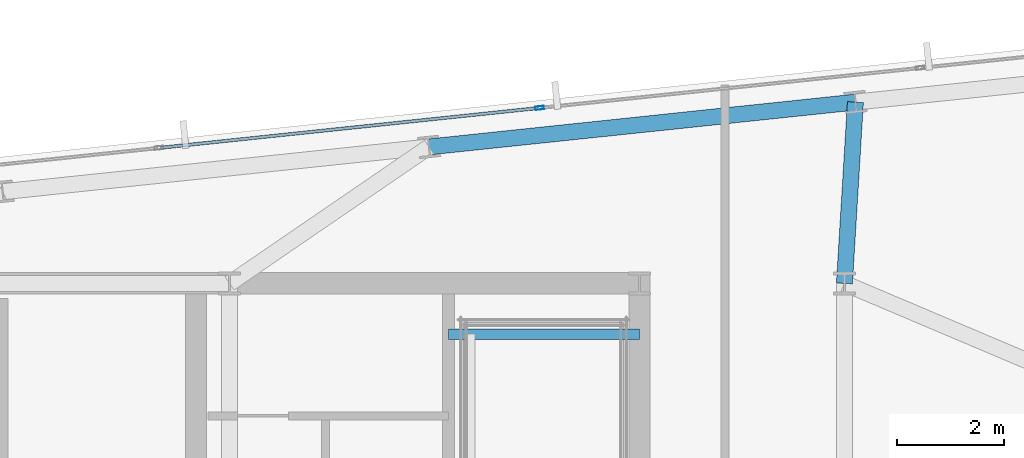
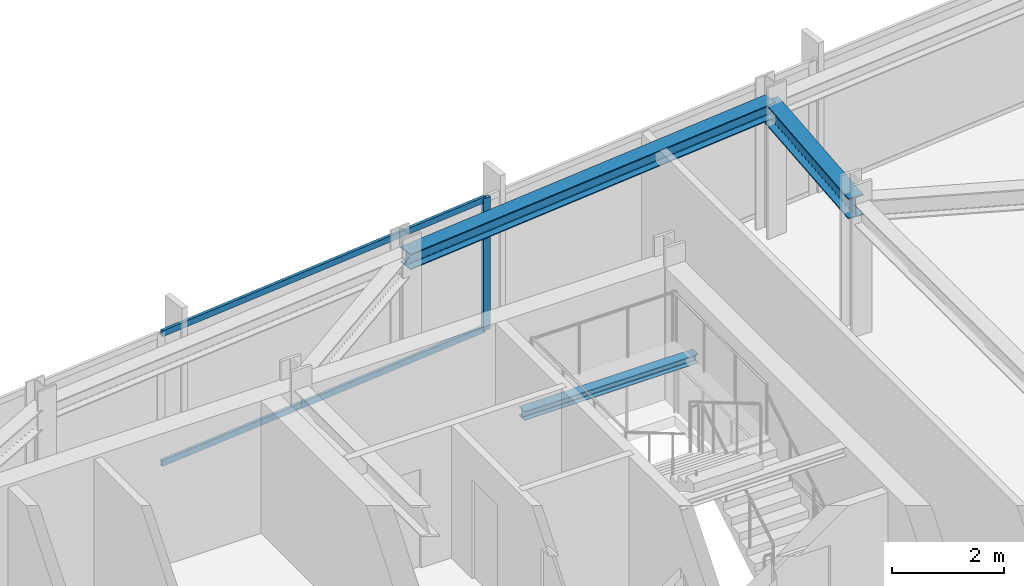
# One storey, part 23 of 33: 3 beams, 3 members, 1 element without a shape of its own.
"""IFC4 building model written with IfcOpenShell, lengths in metres."""

from ifc_helpers import new_model, si_unit, direction, frame, origin, origin_2d, place, context, subcontext, project, spatial, hollow_rectangle, i_section, extrude, material, material_profile, profile_set, type_object, element, aggregate, save


model = new_model("IFC4")

# Units and contexts
model_context = context("Model", 3, precision=1e-05, world=origin(), true_north=direction((0.0, 1.0)))
body_context = subcontext(model_context, "Body", "Model", "MODEL_VIEW")
ifc_project = project(units=[si_unit("LENGTHUNIT", "METRE"), si_unit("AREAUNIT", "SQUARE_METRE"), si_unit("VOLUMEUNIT", "CUBIC_METRE"), si_unit("PLANEANGLEUNIT", "RADIAN"), si_unit("MASSUNIT", "GRAM", prefix="KILO")], contexts=[model_context])

# Site, building, storey
site_placement = place(None, origin())
site = spatial("IfcSite", under=ifc_project, at=site_placement, CompositionType="ELEMENT")
building_placement = place(site_placement, origin())
building = spatial("IfcBuilding", under=site, at=building_placement, Name="Yelkora Congress Tower", CompositionType="ELEMENT")
storey_placement = place(building_placement, frame((0.0, 0.0, 244.10009765625)))
storey = spatial("IfcBuildingStorey", under=building, at=storey_placement, Name="L68", CompositionType="ELEMENT", Elevation=244.10009765625)

# Beams
ifc_material_1 = material(Name="Steel S355J2", Category="steel")
ifc_material_profile_1 = material_profile(ifc_material_1, i_section(OverallWidth=0.300048828125, OverallDepth=0.449951171875, WebThickness=0.013916015625, FlangeThickness=0.02587890625, FilletRadius=0.027099609375, at=origin_2d()), Name="HEB 450")
ifc_profile_set_1 = profile_set([ifc_material_profile_1], Name="Steel S355J2")
beam_type_1 = type_object("IfcBeamType", Name="BM-GIRD-HEB450", PredefinedType="BEAM", material=ifc_profile_set_1)
beam_1_placement = place(storey_placement, frame((57.806640625, 49.5966796875, 2.65478515625), z_axis=(-0.060694337224, -0.998156399283, 0.0), x_axis=(0.998156399283, -0.060694337224, 0.0)))
element("IfcBeam", 1, at=beam_1_placement, inside=storey, type_object=beam_type_1, Name="L68 Primary Frame Girder N06", PredefinedType="BEAM", context=body_context, shape_type="SweptSolid", body=[
    extrude(i_section(OverallWidth=0.300048828125, OverallDepth=0.449951171875, WebThickness=0.013916015625, FlangeThickness=0.02587890625, FilletRadius=0.027099609375, at=origin_2d()), origin(), (0.0, 0.0, 1.0), 3.403076171875),
])
ifc_material_profile_2 = material_profile(ifc_material_1, i_section(OverallWidth=0.199951171875, OverallDepth=0.18994140625, WebThickness=0.006591796875, FlangeThickness=0.010009765625, FilletRadius=0.01806640625, at=origin_2d()), Name="HEA 200")
ifc_profile_set_2 = profile_set([ifc_material_profile_2], Name="Steel S355J2")
beam_type_2 = type_object("IfcBeamType", Name="BM-LAND-HEA200", PredefinedType="BEAM", material=ifc_profile_set_2)
beam_2_placement = place(storey_placement, frame((50.179931640625, 45.25, 1.33447265625), z_axis=(1.0, 0.0, 0.0), x_axis=(0.0, 1.0, 0.0)))
element("IfcBeam", 2, at=beam_2_placement, inside=storey, type_object=beam_type_2, Name="ST-02 L68 Landing Header Beam 1N", PredefinedType="BEAM", context=body_context, shape_type="SweptSolid", body=[
    extrude(i_section(OverallWidth=0.199951171875, OverallDepth=0.18994140625, WebThickness=0.006591796875, FlangeThickness=0.010009765625, FilletRadius=0.01806640625, at=origin_2d()), origin(), (0.0, 0.0, 1.0), 3.580078125),
])
ifc_material_profile_3 = material_profile(ifc_material_1, i_section(OverallWidth=0.300048828125, OverallDepth=0.340087890625, WebThickness=0.011962890625, FlangeThickness=0.021484375, FilletRadius=0.027099609375, at=origin_2d()), Name="HEB 340")
ifc_profile_set_3 = profile_set([ifc_material_profile_3], Name="Steel S355J2")
beam_type_3 = type_object("IfcBeamType", Name="BM-SPAN-HEB340", PredefinedType="SPANDREL", material=ifc_profile_set_3)
beam_3_placement = place(storey_placement, frame((57.806640625, 49.5966796875, 2.7099609375), z_axis=(-0.994523256947, -0.104515507904, 0.0), x_axis=(0.104515507904, -0.994523256947, 0.0)))
element("IfcBeam", 3, at=beam_3_placement, inside=storey, type_object=beam_type_3, Name="L68 Perimeter Beam 14", PredefinedType="SPANDREL", context=body_context, shape_type="SweptSolid", body=[
    extrude(i_section(OverallWidth=0.300048828125, OverallDepth=0.340087890625, WebThickness=0.011962890625, FlangeThickness=0.021484375, FilletRadius=0.027099609375, at=origin_2d()), origin(), (0.0, 0.0, 1.0), 8.033203125),
])

# Curtain wall, members
ifc_material_2 = material(Name="Anodised aluminium and insulated glass", Category="aluminium")
curtain_wall_type = type_object("IfcCurtainWallType", Name="CW-SYS-B4", PredefinedType="NOTDEFINED", material=ifc_material_2)
curtain_wall_placement = place(storey_placement, origin())
curtain_wall = element("IfcCurtainWall", 4, at=curtain_wall_placement, inside=storey, type_object=curtain_wall_type, Name="L68 Unitised Curtain Wall 10 (3)", PredefinedType="NOTDEFINED")
ifc_material_3 = material(Name="Anodised aluminium 6063-T6", Category="aluminium")
ifc_material_profile_4 = material_profile(ifc_material_3, hollow_rectangle(XDim=0.06494140625, YDim=0.159912109375, WallThickness=0.00390625, at=origin_2d()), Name="ALU 65x160x4")
ifc_profile_set_4 = profile_set([ifc_material_profile_4], Name="Anodised aluminium 6063-T6")
member_type_1 = type_object("IfcMemberType", Name="MEM-ML-B4", PredefinedType="MULLION", material=ifc_profile_set_4)
member_1_placement = place(storey_placement, frame((51.888916015625, 49.487548828125, 0.0), z_axis=(0.0, 0.0, 1.0), x_axis=(-0.104527724021, 0.994521973066, 0.0)))
member_1 = element("IfcMember", 5, at=member_1_placement, type_object=member_type_1, Name="CW-B4 mullion 5", PredefinedType="MULLION", context=body_context, shape_type="SweptSolid", body=[
    extrude(hollow_rectangle(XDim=0.06494140625, YDim=0.159912109375, WallThickness=0.00390625, at=origin_2d()), origin(), (0.0, 0.0, 1.0), 2.8798828125),
])
ifc_material_profile_5 = material_profile(ifc_material_3, hollow_rectangle(XDim=0.06005859375, YDim=0.1298828125, WallThickness=0.00390625, at=origin_2d()), Name="ALU 60x130x4")
ifc_profile_set_5 = profile_set([ifc_material_profile_5], Name="Anodised aluminium 6063-T6")
member_type_2 = type_object("IfcMemberType", Name="MEM-TR-B4", PredefinedType="USERDEFINED", material=ifc_profile_set_5)
member_2_placement = place(storey_placement, frame((44.79052734375, 48.74169921875, 0.02978515625), z_axis=(0.99452200925, 0.104527379751, 0.0), x_axis=(-0.104527379751, 0.99452200925, 0.0)))
member_2 = element("IfcMember", 6, at=member_2_placement, type_object=member_type_2, Name="CW-B4 transom 4.1", ObjectType="TRANSOM", PredefinedType="USERDEFINED", context=body_context, shape_type="SweptSolid", body=[
    extrude(hollow_rectangle(XDim=0.06005859375, YDim=0.1298828125, WallThickness=0.00390625, at=origin_2d()), origin(), (0.0, 0.0, 1.0), 7.10498046875),
])
member_3_placement = place(storey_placement, frame((44.79052734375, 48.74169921875, 2.849853515625), z_axis=(0.99452200925, 0.104527379751, 0.0), x_axis=(-0.104527379751, 0.99452200925, 0.0)))
member_3 = element("IfcMember", 7, at=member_3_placement, type_object=member_type_2, Name="CW-B4 transom 4.2", ObjectType="TRANSOM", PredefinedType="USERDEFINED", context=body_context, shape_type="SweptSolid", body=[
    extrude(hollow_rectangle(XDim=0.06005859375, YDim=0.1298828125, WallThickness=0.00390625, at=origin_2d()), origin(), (0.0, 0.0, 1.0), 7.10498046875),
])
aggregate(curtain_wall, [member_1, member_2, member_3])

save(model, "model.ifc")
